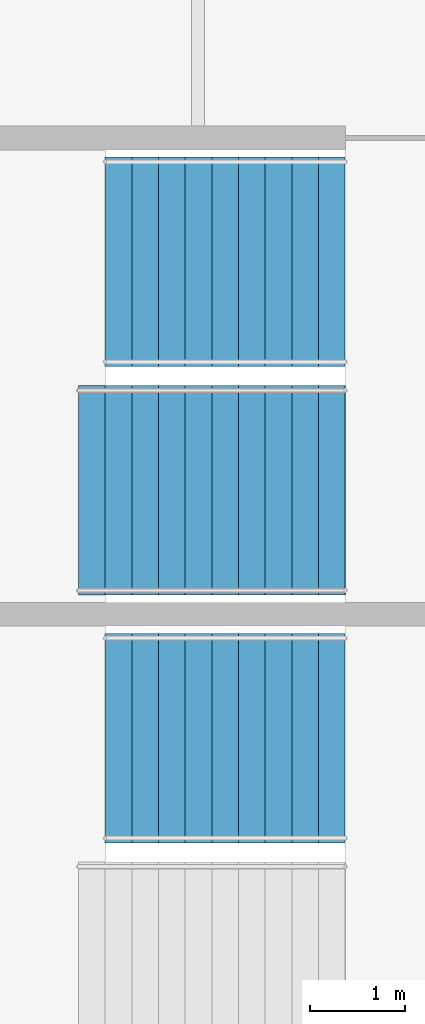
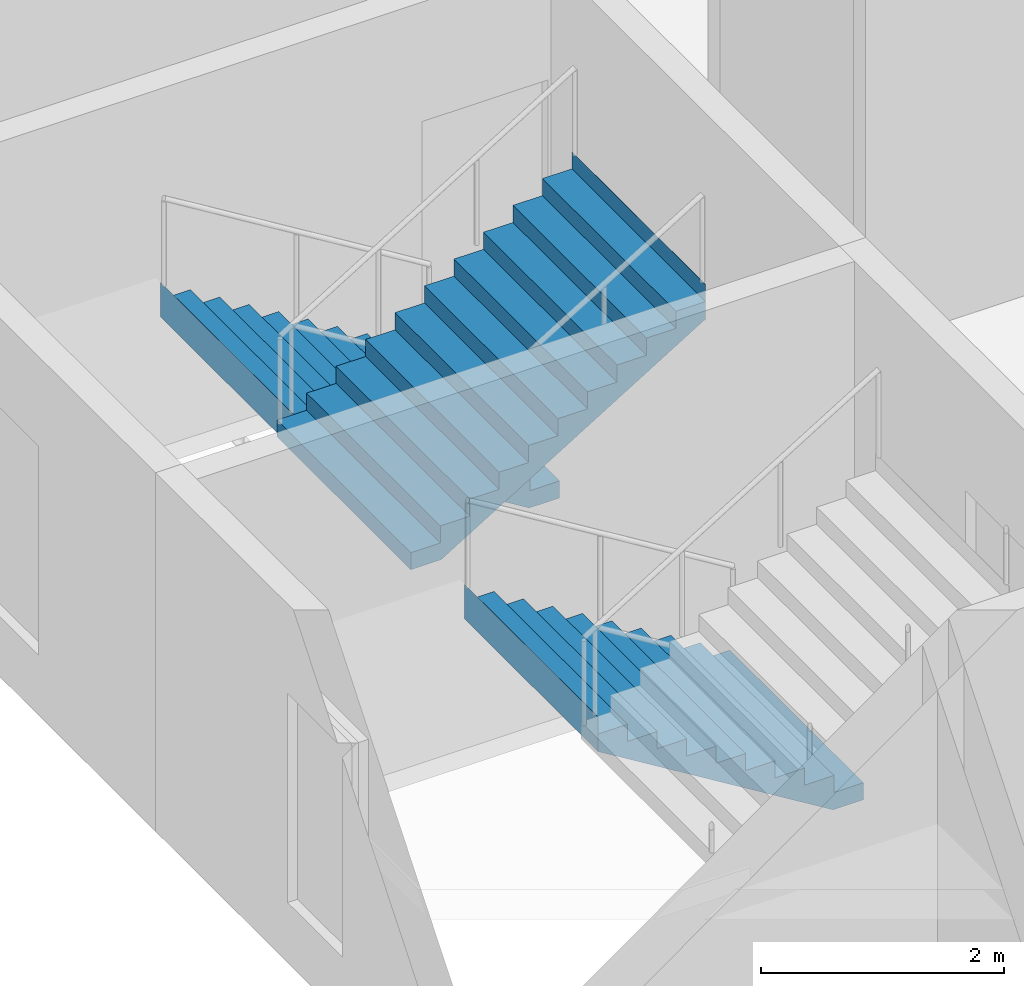
# One storey, part 82 of 124: 3 stair flights, 2 elements without a shape of their own.
"""IFC4 building model written with IfcOpenShell, lengths in metres."""

from ifc_helpers import new_model, si_unit, direction, frame, origin, place, context, subcontext, project, spatial, polyline, outline, extrude, material, type_object, element, aggregate, save


model = new_model("IFC4")

# Units and contexts
model_context = context("Model", 3, precision=1e-05, world=origin(), true_north=direction((0.0, 1.0)))
body_context = subcontext(model_context, "Body", "Model", "MODEL_VIEW")
ifc_project = project(units=[si_unit("LENGTHUNIT", "METRE"), si_unit("AREAUNIT", "SQUARE_METRE"), si_unit("VOLUMEUNIT", "CUBIC_METRE"), si_unit("PLANEANGLEUNIT", "RADIAN"), si_unit("MASSUNIT", "GRAM", prefix="KILO")], contexts=[model_context])

# Site, building, storey
site_placement = place(None, origin())
site = spatial("IfcSite", under=ifc_project, at=site_placement, CompositionType="ELEMENT")
building_placement = place(site_placement, origin())
building = spatial("IfcBuilding", under=site, at=building_placement, Name="Kupolbacken Congress Centre", CompositionType="ELEMENT")
storey_placement = place(building_placement, frame((0.0, 0.0, 10.800048828125)))
storey = spatial("IfcBuildingStorey", under=building, at=storey_placement, Name="L03", CompositionType="ELEMENT", Elevation=10.800048828125)

# Stair, stair flight
ifc_material_1 = material(Name="Concrete C30/37", Category="concrete")
stair_type = type_object("IfcStairType", Name="ST13 stair 2200", PredefinedType="TWO_STRAIGHT_RUN_STAIR", material=ifc_material_1)
stair_1_placement = place(storey_placement, origin())
stair_1 = element("IfcStair", 1, at=stair_1_placement, inside=storey, type_object=stair_type, Name="C/stair/PS1SW/L03", PredefinedType="NOTDEFINED")
ifc_material_2 = material(Name="Concrete C30/37", Category="concrete")
stair_flight_type_1 = type_object("IfcStairFlightType", Name="FL13 stair flight 2200 x 10 risers", PredefinedType="STRAIGHT", material=ifc_material_2)
stair_flight_1_placement = place(storey_placement, frame((12.344970703125, 54.10009765625, 0.0), z_axis=(0.0, 0.0, 1.0), x_axis=(-1.0, 0.0, 0.0)))
stair_flight_1 = element("IfcStairFlight", 2, at=stair_flight_1_placement, type_object=stair_flight_type_1, Name="PS1SW flight 1", NumberOfRisers=10, NumberOfTreads=9, PredefinedType="STRAIGHT", RiserHeight=0.171428571, TreadLength=0.28, context=body_context, shape_type="SweptSolid", body=[
    extrude(outline(polyline([(0.0, 0.0), (0.0, 0.0009765625), (0.0, 0.002197265625), (0.0, 0.003173828125), (0.0, 0.004150390625), (0.0, 0.00537109375), (0.0, 0.00634765625), (0.0, 0.007568359375), (0.0, 0.008544921875), (0.0, 0.009521484375), (0.0, 0.0107421875), (0.0, 0.01171875), (0.0, 0.0126953125), (0.0, 0.013916015625), (0.0, 0.014892578125), (0.0, 0.015869140625), (0.0, 0.01708984375), (0.0, 0.01806640625), (0.0, 0.019287109375), (0.0, 0.020263671875), (0.0, 0.021240234375), (0.0, 0.0224609375), (0.0, 0.0234375), (0.0, 0.0244140625), (0.0, 0.025634765625), (0.0, 0.026611328125), (0.0, 0.027587890625), (0.0, 0.02880859375), (0.0, 0.02978515625), (0.0, 0.03076171875), (0.0, 0.031982421875), (0.0, 0.032958984375), (0.0, 0.0341796875), (0.0, 0.03515625), (0.0, 0.0361328125), (0.0, 0.037353515625), (0.0, 0.038330078125), (0.0, 0.039306640625), (0.0, 0.04052734375), (0.0, 0.04150390625), (0.0, 0.04248046875), (0.0, 0.043701171875), (0.0, 0.044677734375), (0.0, 0.0458984375), (0.0, 0.046875), (0.0, 0.0478515625), (0.0, 0.049072265625), (0.0, 0.050048828125), (0.0, 0.051025390625), (0.0, 0.05224609375), (0.0, 0.05322265625), (0.0, 0.05419921875), (0.0, 0.055419921875), (0.0, 0.056396484375), (0.0, 0.0576171875), (0.0, 0.05859375), (0.0, 0.0595703125), (0.0, 0.060791015625), (0.0, 0.061767578125), (0.0, 0.062744140625), (0.0, 0.06396484375), (0.0, 0.06494140625), (0.0, 0.06591796875), (0.0, 0.067138671875), (0.0, 0.068115234375), (0.0, 0.069091796875), (0.0, 0.0703125), (0.0, 0.0712890625), (0.0, 0.072509765625), (0.0, 0.073486328125), (0.0, 0.074462890625), (0.0, 0.07568359375), (0.0, 0.07666015625), (0.0, 0.07763671875), (0.0, 0.078857421875), (0.0, 0.079833984375), (0.0, 0.080810546875), (0.0, 0.08203125), (0.0, 0.0830078125), (0.0, 0.084228515625), (0.0, 0.085205078125), (0.0, 0.086181640625), (0.0, 0.08740234375), (0.0, 0.08837890625), (0.0, 0.08935546875), (0.0, 0.090576171875), (0.0, 0.091552734375), (0.0, 0.092529296875), (0.0, 0.09375), (0.0, 0.0947265625), (0.0, 0.095947265625), (0.0, 0.096923828125), (0.0, 0.097900390625), (0.0, 0.09912109375), (0.0, 0.10009765625), (0.0, 0.10107421875), (0.0, 0.102294921875), (0.0, 0.103271484375), (0.0, 0.104248046875), (0.0, 0.10546875), (0.0, 0.1064453125), (0.0, 0.107421875), (0.0, 0.108642578125), (0.0, 0.109619140625), (0.0, 0.11083984375), (0.0, 0.11181640625), (0.0, 0.11279296875), (0.0, 0.114013671875), (0.0, 0.114990234375), (0.0, 0.115966796875), (0.0, 0.1171875), (0.0, 0.1181640625), (0.0, 0.119140625), (0.0, 0.120361328125), (0.0, 0.121337890625), (0.0, 0.12255859375), (0.0, 0.12353515625), (0.0, 0.12451171875), (0.0, 0.125732421875), (0.0, 0.126708984375), (0.0, 0.127685546875), (0.0, 0.12890625), (0.0, 0.1298828125), (0.0, 0.130859375), (0.0, 0.132080078125), (0.0, 0.133056640625), (0.0, 0.13427734375), (0.0, 0.13525390625), (0.0, 0.13623046875), (0.0, 0.137451171875), (0.0, 0.138427734375), (0.0, 0.139404296875), (0.0, 0.140625), (0.0, 0.1416015625), (0.0, 0.142578125), (0.0, 0.143798828125), (0.0, 0.144775390625), (0.0, 0.145751953125), (0.0, 0.14697265625), (0.0, 0.14794921875), (0.0, 0.149169921875), (0.0, 0.150146484375), (0.0, 0.151123046875), (0.0, 0.15234375), (0.0, 0.1533203125), (0.0, 0.154296875), (0.0, 0.155517578125), (0.0, 0.156494140625), (0.0, 0.157470703125), (0.0, 0.15869140625), (0.0, 0.15966796875), (0.0, 0.160888671875), (0.0, 0.161865234375), (0.0, 0.162841796875), (0.0, 0.1640625), (0.0, 0.1650390625), (0.0, 0.166015625), (0.0, 0.167236328125), (0.0, 0.168212890625), (0.0, 0.169189453125), (0.0, 0.17041015625), (0.0, 0.17138671875), (0.280029296875, 0.17138671875), (0.280029296875, 0.3427734375), (0.56005859375, 0.3427734375), (0.56005859375, 0.514404296875), (0.840087890625, 0.514404296875), (0.840087890625, 0.685791015625), (1.1201171875, 0.685791015625), (1.1201171875, 0.857177734375), (1.39990234375, 0.857177734375), (1.39990234375, 1.028564453125), (1.679931640625, 1.028564453125), (1.679931640625, 1.199951171875), (1.9599609375, 1.199951171875), (1.9599609375, 1.371337890625), (2.239990234375, 1.371337890625), (2.239990234375, 1.54296875), (2.52001953125, 1.54296875), (2.52001953125, 1.71435546875), (2.52197265625, 1.71435546875), (2.52197265625, 1.712158203125), (2.52197265625, 1.7099609375), (2.52197265625, 1.707763671875), (2.52197265625, 1.70556640625), (2.52197265625, 1.70361328125), (2.52197265625, 1.701416015625), (2.52197265625, 1.69921875), (2.52197265625, 1.697021484375), (2.52197265625, 1.69482421875), (2.52197265625, 1.692626953125), (2.52197265625, 1.690673828125), (2.52197265625, 1.6884765625), (2.52197265625, 1.686279296875), (2.52197265625, 1.68408203125), (2.52197265625, 1.681884765625), (2.52197265625, 1.6796875), (2.52197265625, 1.677734375), (2.52197265625, 1.675537109375), (2.52197265625, 1.67333984375), (2.52197265625, 1.671142578125), (2.52197265625, 1.6689453125), (2.52197265625, 1.666748046875), (2.52197265625, 1.664794921875), (2.52197265625, 1.66259765625), (2.52197265625, 1.660400390625), (2.52197265625, 1.658203125), (2.52197265625, 1.656005859375), (2.52197265625, 1.65380859375), (2.52197265625, 1.65185546875), (2.52197265625, 1.649658203125), (2.52197265625, 1.6474609375), (2.52197265625, 1.645263671875), (2.52197265625, 1.64306640625), (2.52197265625, 1.640869140625), (2.52197265625, 1.638916015625), (2.52197265625, 1.63671875), (2.52197265625, 1.634521484375), (2.52197265625, 1.63232421875), (2.52197265625, 1.630126953125), (2.52197265625, 1.6279296875), (2.52197265625, 1.6259765625), (2.52197265625, 1.623779296875), (2.52197265625, 1.62158203125), (2.52197265625, 1.619384765625), (2.52197265625, 1.6171875), (2.52197265625, 1.614990234375), (2.52197265625, 1.613037109375), (2.52197265625, 1.61083984375), (2.52197265625, 1.608642578125), (2.52197265625, 1.6064453125), (2.52197265625, 1.604248046875), (2.52197265625, 1.60205078125), (2.52197265625, 1.60009765625), (2.52197265625, 1.597900390625), (2.52197265625, 1.595703125), (2.52197265625, 1.593505859375), (2.52197265625, 1.59130859375), (2.52197265625, 1.589111328125), (2.52197265625, 1.587158203125), (2.52197265625, 1.5849609375), (2.52197265625, 1.582763671875), (2.52197265625, 1.58056640625), (2.52197265625, 1.578369140625), (2.52197265625, 1.576171875), (2.52197265625, 1.57421875), (2.52197265625, 1.572021484375), (2.52197265625, 1.56982421875), (2.52197265625, 1.567626953125), (2.52197265625, 1.5654296875), (2.52197265625, 1.563232421875), (2.52197265625, 1.561279296875), (2.52197265625, 1.55908203125), (2.52197265625, 1.556884765625), (2.52197265625, 1.5546875), (2.52197265625, 1.552490234375), (2.52197265625, 1.55029296875), (2.52197265625, 1.54833984375), (2.52197265625, 1.546142578125), (2.52197265625, 1.5439453125), (2.52197265625, 1.541748046875), (2.52197265625, 1.53955078125), (2.52197265625, 1.537353515625), (2.52197265625, 1.535400390625), (2.52197265625, 1.533203125), (2.52197265625, 1.531005859375), (2.52197265625, 1.52880859375), (2.52197265625, 1.526611328125), (2.52197265625, 1.5244140625), (2.52197265625, 1.5224609375), (2.52197265625, 1.520263671875), (2.52197265625, 1.51806640625), (2.52197265625, 1.515869140625), (2.52197265625, 1.513671875), (2.52197265625, 1.511474609375), (2.52197265625, 1.509521484375), (2.52197265625, 1.50732421875), (2.52197265625, 1.505126953125), (2.52197265625, 1.5029296875), (2.52197265625, 1.500732421875), (2.52197265625, 1.49853515625), (2.52197265625, 1.49658203125), (2.52197265625, 1.494384765625), (2.52197265625, 1.4921875), (2.52197265625, 1.489990234375), (2.52197265625, 1.48779296875), (2.52197265625, 1.485595703125), (2.52197265625, 1.483642578125), (2.52197265625, 1.4814453125), (2.52197265625, 1.479248046875), (2.52197265625, 1.47705078125), (2.52197265625, 1.474853515625), (2.52197265625, 1.47265625), (2.52197265625, 1.470703125), (2.52197265625, 1.468505859375), (2.52197265625, 1.46630859375), (2.52197265625, 1.464111328125), (2.52197265625, 1.4619140625), (2.52197265625, 1.459716796875), (2.52197265625, 1.457763671875), (2.52197265625, 1.45556640625), (2.52197265625, 1.453369140625), (2.52197265625, 1.451171875), (2.52197265625, 1.448974609375), (2.52197265625, 1.44677734375), (2.52197265625, 1.44482421875), (2.52197265625, 1.442626953125), (2.52197265625, 1.4404296875), (2.52197265625, 1.438232421875), (2.52197265625, 1.43603515625), (2.52197265625, 1.433837890625), (2.52197265625, 1.431884765625), (2.52197265625, 1.4296875), (2.52197265625, 1.427490234375), (2.52197265625, 1.42529296875), (2.52197265625, 1.423095703125), (2.52197265625, 1.4208984375), (2.52197265625, 1.4189453125), (2.52197265625, 1.416748046875), (2.52197265625, 1.41455078125), (2.52197265625, 1.412353515625), (2.52197265625, 1.41015625), (2.52197265625, 1.407958984375), (2.52197265625, 1.406005859375), (2.52197265625, 1.40380859375), (2.52197265625, 1.401611328125), (2.52197265625, 1.3994140625), (2.52197265625, 1.397216796875), (2.52197265625, 1.39501953125), (2.52197265625, 1.39306640625), (2.52197265625, 1.390869140625), (2.52197265625, 1.388671875), (2.52197265625, 1.386474609375), (2.52197265625, 1.38427734375), (2.52197265625, 1.382080078125), (2.52197265625, 1.380126953125), (2.52197265625, 1.3779296875), (2.52197265625, 1.375732421875), (2.52197265625, 1.37353515625), (2.52197265625, 1.371337890625), (2.52197265625, 1.369140625), (2.52197265625, 1.3671875), (0.2890625, 0.0), (0.0, 0.0)])), frame((0.0, 1.10009765625, 0.0), z_axis=(0.0, -1.0, 0.0), x_axis=(1.0, 0.0, 0.0)), (0.0, 0.0, 1.0), 2.199951171875),
])
aggregate(stair_1, [stair_flight_1])

# Stair, stair flights
stair_2_placement = place(storey_placement, origin())
stair_2 = element("IfcStair", 3, at=stair_2_placement, inside=storey, type_object=stair_type, Name="C/stair/PS2SW/L03", PredefinedType="NOTDEFINED")
stair_flight_2_placement = place(storey_placement, frame((12.344970703125, 59.10009765625, 0.0), z_axis=(0.0, 0.0, 1.0), x_axis=(-1.0, 0.0, 0.0)))
stair_flight_2 = element("IfcStairFlight", 4, at=stair_flight_2_placement, type_object=stair_flight_type_1, Name="PS2SW flight 1", NumberOfRisers=10, NumberOfTreads=9, PredefinedType="STRAIGHT", RiserHeight=0.171428571, TreadLength=0.28, context=body_context, shape_type="SweptSolid", body=[
    extrude(outline(polyline([(0.0, 0.0), (0.0, 0.0009765625), (0.0, 0.002197265625), (0.0, 0.003173828125), (0.0, 0.004150390625), (0.0, 0.00537109375), (0.0, 0.00634765625), (0.0, 0.007568359375), (0.0, 0.008544921875), (0.0, 0.009521484375), (0.0, 0.0107421875), (0.0, 0.01171875), (0.0, 0.0126953125), (0.0, 0.013916015625), (0.0, 0.014892578125), (0.0, 0.015869140625), (0.0, 0.01708984375), (0.0, 0.01806640625), (0.0, 0.019287109375), (0.0, 0.020263671875), (0.0, 0.021240234375), (0.0, 0.0224609375), (0.0, 0.0234375), (0.0, 0.0244140625), (0.0, 0.025634765625), (0.0, 0.026611328125), (0.0, 0.027587890625), (0.0, 0.02880859375), (0.0, 0.02978515625), (0.0, 0.03076171875), (0.0, 0.031982421875), (0.0, 0.032958984375), (0.0, 0.0341796875), (0.0, 0.03515625), (0.0, 0.0361328125), (0.0, 0.037353515625), (0.0, 0.038330078125), (0.0, 0.039306640625), (0.0, 0.04052734375), (0.0, 0.04150390625), (0.0, 0.04248046875), (0.0, 0.043701171875), (0.0, 0.044677734375), (0.0, 0.0458984375), (0.0, 0.046875), (0.0, 0.0478515625), (0.0, 0.049072265625), (0.0, 0.050048828125), (0.0, 0.051025390625), (0.0, 0.05224609375), (0.0, 0.05322265625), (0.0, 0.05419921875), (0.0, 0.055419921875), (0.0, 0.056396484375), (0.0, 0.0576171875), (0.0, 0.05859375), (0.0, 0.0595703125), (0.0, 0.060791015625), (0.0, 0.061767578125), (0.0, 0.062744140625), (0.0, 0.06396484375), (0.0, 0.06494140625), (0.0, 0.06591796875), (0.0, 0.067138671875), (0.0, 0.068115234375), (0.0, 0.069091796875), (0.0, 0.0703125), (0.0, 0.0712890625), (0.0, 0.072509765625), (0.0, 0.073486328125), (0.0, 0.074462890625), (0.0, 0.07568359375), (0.0, 0.07666015625), (0.0, 0.07763671875), (0.0, 0.078857421875), (0.0, 0.079833984375), (0.0, 0.080810546875), (0.0, 0.08203125), (0.0, 0.0830078125), (0.0, 0.084228515625), (0.0, 0.085205078125), (0.0, 0.086181640625), (0.0, 0.08740234375), (0.0, 0.08837890625), (0.0, 0.08935546875), (0.0, 0.090576171875), (0.0, 0.091552734375), (0.0, 0.092529296875), (0.0, 0.09375), (0.0, 0.0947265625), (0.0, 0.095947265625), (0.0, 0.096923828125), (0.0, 0.097900390625), (0.0, 0.09912109375), (0.0, 0.10009765625), (0.0, 0.10107421875), (0.0, 0.102294921875), (0.0, 0.103271484375), (0.0, 0.104248046875), (0.0, 0.10546875), (0.0, 0.1064453125), (0.0, 0.107421875), (0.0, 0.108642578125), (0.0, 0.109619140625), (0.0, 0.11083984375), (0.0, 0.11181640625), (0.0, 0.11279296875), (0.0, 0.114013671875), (0.0, 0.114990234375), (0.0, 0.115966796875), (0.0, 0.1171875), (0.0, 0.1181640625), (0.0, 0.119140625), (0.0, 0.120361328125), (0.0, 0.121337890625), (0.0, 0.12255859375), (0.0, 0.12353515625), (0.0, 0.12451171875), (0.0, 0.125732421875), (0.0, 0.126708984375), (0.0, 0.127685546875), (0.0, 0.12890625), (0.0, 0.1298828125), (0.0, 0.130859375), (0.0, 0.132080078125), (0.0, 0.133056640625), (0.0, 0.13427734375), (0.0, 0.13525390625), (0.0, 0.13623046875), (0.0, 0.137451171875), (0.0, 0.138427734375), (0.0, 0.139404296875), (0.0, 0.140625), (0.0, 0.1416015625), (0.0, 0.142578125), (0.0, 0.143798828125), (0.0, 0.144775390625), (0.0, 0.145751953125), (0.0, 0.14697265625), (0.0, 0.14794921875), (0.0, 0.149169921875), (0.0, 0.150146484375), (0.0, 0.151123046875), (0.0, 0.15234375), (0.0, 0.1533203125), (0.0, 0.154296875), (0.0, 0.155517578125), (0.0, 0.156494140625), (0.0, 0.157470703125), (0.0, 0.15869140625), (0.0, 0.15966796875), (0.0, 0.160888671875), (0.0, 0.161865234375), (0.0, 0.162841796875), (0.0, 0.1640625), (0.0, 0.1650390625), (0.0, 0.166015625), (0.0, 0.167236328125), (0.0, 0.168212890625), (0.0, 0.169189453125), (0.0, 0.17041015625), (0.0, 0.17138671875), (0.280029296875, 0.17138671875), (0.280029296875, 0.3427734375), (0.56005859375, 0.3427734375), (0.56005859375, 0.514404296875), (0.840087890625, 0.514404296875), (0.840087890625, 0.685791015625), (1.1201171875, 0.685791015625), (1.1201171875, 0.857177734375), (1.39990234375, 0.857177734375), (1.39990234375, 1.028564453125), (1.679931640625, 1.028564453125), (1.679931640625, 1.199951171875), (1.9599609375, 1.199951171875), (1.9599609375, 1.371337890625), (2.239990234375, 1.371337890625), (2.239990234375, 1.54296875), (2.52001953125, 1.54296875), (2.52001953125, 1.71435546875), (2.52197265625, 1.71435546875), (2.52197265625, 1.712158203125), (2.52197265625, 1.7099609375), (2.52197265625, 1.707763671875), (2.52197265625, 1.70556640625), (2.52197265625, 1.70361328125), (2.52197265625, 1.701416015625), (2.52197265625, 1.69921875), (2.52197265625, 1.697021484375), (2.52197265625, 1.69482421875), (2.52197265625, 1.692626953125), (2.52197265625, 1.690673828125), (2.52197265625, 1.6884765625), (2.52197265625, 1.686279296875), (2.52197265625, 1.68408203125), (2.52197265625, 1.681884765625), (2.52197265625, 1.6796875), (2.52197265625, 1.677734375), (2.52197265625, 1.675537109375), (2.52197265625, 1.67333984375), (2.52197265625, 1.671142578125), (2.52197265625, 1.6689453125), (2.52197265625, 1.666748046875), (2.52197265625, 1.664794921875), (2.52197265625, 1.66259765625), (2.52197265625, 1.660400390625), (2.52197265625, 1.658203125), (2.52197265625, 1.656005859375), (2.52197265625, 1.65380859375), (2.52197265625, 1.65185546875), (2.52197265625, 1.649658203125), (2.52197265625, 1.6474609375), (2.52197265625, 1.645263671875), (2.52197265625, 1.64306640625), (2.52197265625, 1.640869140625), (2.52197265625, 1.638916015625), (2.52197265625, 1.63671875), (2.52197265625, 1.634521484375), (2.52197265625, 1.63232421875), (2.52197265625, 1.630126953125), (2.52197265625, 1.6279296875), (2.52197265625, 1.6259765625), (2.52197265625, 1.623779296875), (2.52197265625, 1.62158203125), (2.52197265625, 1.619384765625), (2.52197265625, 1.6171875), (2.52197265625, 1.614990234375), (2.52197265625, 1.613037109375), (2.52197265625, 1.61083984375), (2.52197265625, 1.608642578125), (2.52197265625, 1.6064453125), (2.52197265625, 1.604248046875), (2.52197265625, 1.60205078125), (2.52197265625, 1.60009765625), (2.52197265625, 1.597900390625), (2.52197265625, 1.595703125), (2.52197265625, 1.593505859375), (2.52197265625, 1.59130859375), (2.52197265625, 1.589111328125), (2.52197265625, 1.587158203125), (2.52197265625, 1.5849609375), (2.52197265625, 1.582763671875), (2.52197265625, 1.58056640625), (2.52197265625, 1.578369140625), (2.52197265625, 1.576171875), (2.52197265625, 1.57421875), (2.52197265625, 1.572021484375), (2.52197265625, 1.56982421875), (2.52197265625, 1.567626953125), (2.52197265625, 1.5654296875), (2.52197265625, 1.563232421875), (2.52197265625, 1.561279296875), (2.52197265625, 1.55908203125), (2.52197265625, 1.556884765625), (2.52197265625, 1.5546875), (2.52197265625, 1.552490234375), (2.52197265625, 1.55029296875), (2.52197265625, 1.54833984375), (2.52197265625, 1.546142578125), (2.52197265625, 1.5439453125), (2.52197265625, 1.541748046875), (2.52197265625, 1.53955078125), (2.52197265625, 1.537353515625), (2.52197265625, 1.535400390625), (2.52197265625, 1.533203125), (2.52197265625, 1.531005859375), (2.52197265625, 1.52880859375), (2.52197265625, 1.526611328125), (2.52197265625, 1.5244140625), (2.52197265625, 1.5224609375), (2.52197265625, 1.520263671875), (2.52197265625, 1.51806640625), (2.52197265625, 1.515869140625), (2.52197265625, 1.513671875), (2.52197265625, 1.511474609375), (2.52197265625, 1.509521484375), (2.52197265625, 1.50732421875), (2.52197265625, 1.505126953125), (2.52197265625, 1.5029296875), (2.52197265625, 1.500732421875), (2.52197265625, 1.49853515625), (2.52197265625, 1.49658203125), (2.52197265625, 1.494384765625), (2.52197265625, 1.4921875), (2.52197265625, 1.489990234375), (2.52197265625, 1.48779296875), (2.52197265625, 1.485595703125), (2.52197265625, 1.483642578125), (2.52197265625, 1.4814453125), (2.52197265625, 1.479248046875), (2.52197265625, 1.47705078125), (2.52197265625, 1.474853515625), (2.52197265625, 1.47265625), (2.52197265625, 1.470703125), (2.52197265625, 1.468505859375), (2.52197265625, 1.46630859375), (2.52197265625, 1.464111328125), (2.52197265625, 1.4619140625), (2.52197265625, 1.459716796875), (2.52197265625, 1.457763671875), (2.52197265625, 1.45556640625), (2.52197265625, 1.453369140625), (2.52197265625, 1.451171875), (2.52197265625, 1.448974609375), (2.52197265625, 1.44677734375), (2.52197265625, 1.44482421875), (2.52197265625, 1.442626953125), (2.52197265625, 1.4404296875), (2.52197265625, 1.438232421875), (2.52197265625, 1.43603515625), (2.52197265625, 1.433837890625), (2.52197265625, 1.431884765625), (2.52197265625, 1.4296875), (2.52197265625, 1.427490234375), (2.52197265625, 1.42529296875), (2.52197265625, 1.423095703125), (2.52197265625, 1.4208984375), (2.52197265625, 1.4189453125), (2.52197265625, 1.416748046875), (2.52197265625, 1.41455078125), (2.52197265625, 1.412353515625), (2.52197265625, 1.41015625), (2.52197265625, 1.407958984375), (2.52197265625, 1.406005859375), (2.52197265625, 1.40380859375), (2.52197265625, 1.401611328125), (2.52197265625, 1.3994140625), (2.52197265625, 1.397216796875), (2.52197265625, 1.39501953125), (2.52197265625, 1.39306640625), (2.52197265625, 1.390869140625), (2.52197265625, 1.388671875), (2.52197265625, 1.386474609375), (2.52197265625, 1.38427734375), (2.52197265625, 1.382080078125), (2.52197265625, 1.380126953125), (2.52197265625, 1.3779296875), (2.52197265625, 1.375732421875), (2.52197265625, 1.37353515625), (2.52197265625, 1.371337890625), (2.52197265625, 1.369140625), (2.52197265625, 1.3671875), (0.2890625, 0.0), (0.0, 0.0)])), frame((0.0, 1.10009765625, 0.0), z_axis=(0.0, -1.0, 0.0), x_axis=(1.0, 0.0, 0.0)), (0.0, 0.0, 1.0), 2.199951171875),
])
ifc_material_3 = material(Name="Concrete C30/37", Category="concrete")
stair_flight_type_2 = type_object("IfcStairFlightType", Name="FL14 stair flight 2200 x 11 risers", PredefinedType="STRAIGHT", material=ifc_material_3)
stair_flight_3_placement = place(storey_placement, frame((9.544921875, 56.699951171875, 1.71435546875), z_axis=(0.0, 0.0, 1.0), x_axis=(1.0, 0.0, 0.0)))
stair_flight_3 = element("IfcStairFlight", 5, at=stair_flight_3_placement, type_object=stair_flight_type_2, Name="PS2SW flight 2", NumberOfRisers=11, NumberOfTreads=10, PredefinedType="STRAIGHT", RiserHeight=0.171428571, TreadLength=0.28, context=body_context, shape_type="SweptSolid", body=[
    extrude(outline(polyline([(0.0, 0.0), (0.0, 0.0009765625), (0.0, 0.002197265625), (0.0, 0.003173828125), (0.0, 0.004150390625), (0.0, 0.00537109375), (0.0, 0.00634765625), (0.0, 0.007568359375), (0.0, 0.008544921875), (0.0, 0.009521484375), (0.0, 0.0107421875), (0.0, 0.01171875), (0.0, 0.0126953125), (0.0, 0.013916015625), (0.0, 0.014892578125), (0.0, 0.015869140625), (0.0, 0.01708984375), (0.0, 0.01806640625), (0.0, 0.019287109375), (0.0, 0.020263671875), (0.0, 0.021240234375), (0.0, 0.0224609375), (0.0, 0.0234375), (0.0, 0.0244140625), (0.0, 0.025634765625), (0.0, 0.026611328125), (0.0, 0.027587890625), (0.0, 0.02880859375), (0.0, 0.02978515625), (0.0, 0.03076171875), (0.0, 0.031982421875), (0.0, 0.032958984375), (0.0, 0.0341796875), (0.0, 0.03515625), (0.0, 0.0361328125), (0.0, 0.037353515625), (0.0, 0.038330078125), (0.0, 0.039306640625), (0.0, 0.04052734375), (0.0, 0.04150390625), (0.0, 0.04248046875), (0.0, 0.043701171875), (0.0, 0.044677734375), (0.0, 0.0458984375), (0.0, 0.046875), (0.0, 0.0478515625), (0.0, 0.049072265625), (0.0, 0.050048828125), (0.0, 0.051025390625), (0.0, 0.05224609375), (0.0, 0.05322265625), (0.0, 0.05419921875), (0.0, 0.055419921875), (0.0, 0.056396484375), (0.0, 0.0576171875), (0.0, 0.05859375), (0.0, 0.0595703125), (0.0, 0.060791015625), (0.0, 0.061767578125), (0.0, 0.062744140625), (0.0, 0.06396484375), (0.0, 0.06494140625), (0.0, 0.06591796875), (0.0, 0.067138671875), (0.0, 0.068115234375), (0.0, 0.069091796875), (0.0, 0.0703125), (0.0, 0.0712890625), (0.0, 0.072509765625), (0.0, 0.073486328125), (0.0, 0.074462890625), (0.0, 0.07568359375), (0.0, 0.07666015625), (0.0, 0.07763671875), (0.0, 0.078857421875), (0.0, 0.079833984375), (0.0, 0.080810546875), (0.0, 0.08203125), (0.0, 0.0830078125), (0.0, 0.084228515625), (0.0, 0.085205078125), (0.0, 0.086181640625), (0.0, 0.08740234375), (0.0, 0.08837890625), (0.0, 0.08935546875), (0.0, 0.090576171875), (0.0, 0.091552734375), (0.0, 0.092529296875), (0.0, 0.09375), (0.0, 0.0947265625), (0.0, 0.095947265625), (0.0, 0.096923828125), (0.0, 0.097900390625), (0.0, 0.09912109375), (0.0, 0.10009765625), (0.0, 0.10107421875), (0.0, 0.102294921875), (0.0, 0.103271484375), (0.0, 0.104248046875), (0.0, 0.10546875), (0.0, 0.1064453125), (0.0, 0.107421875), (0.0, 0.108642578125), (0.0, 0.109619140625), (0.0, 0.11083984375), (0.0, 0.11181640625), (0.0, 0.11279296875), (0.0, 0.114013671875), (0.0, 0.114990234375), (0.0, 0.115966796875), (0.0, 0.1171875), (0.0, 0.1181640625), (0.0, 0.119140625), (0.0, 0.120361328125), (0.0, 0.121337890625), (0.0, 0.12255859375), (0.0, 0.12353515625), (0.0, 0.12451171875), (0.0, 0.125732421875), (0.0, 0.126708984375), (0.0, 0.127685546875), (0.0, 0.12890625), (0.0, 0.1298828125), (0.0, 0.130859375), (0.0, 0.132080078125), (0.0, 0.133056640625), (0.0, 0.13427734375), (0.0, 0.13525390625), (0.0, 0.13623046875), (0.0, 0.137451171875), (0.0, 0.138427734375), (0.0, 0.139404296875), (0.0, 0.140625), (0.0, 0.1416015625), (0.0, 0.142578125), (0.0, 0.143798828125), (0.0, 0.144775390625), (0.0, 0.145751953125), (0.0, 0.14697265625), (0.0, 0.14794921875), (0.0, 0.149169921875), (0.0, 0.150146484375), (0.0, 0.151123046875), (0.0, 0.15234375), (0.0, 0.1533203125), (0.0, 0.154296875), (0.0, 0.155517578125), (0.0, 0.156494140625), (0.0, 0.157470703125), (0.0, 0.15869140625), (0.0, 0.15966796875), (0.0, 0.160888671875), (0.0, 0.161865234375), (0.0, 0.162841796875), (0.0, 0.1640625), (0.0, 0.1650390625), (0.0, 0.166015625), (0.0, 0.167236328125), (0.0, 0.168212890625), (0.0, 0.169189453125), (0.0, 0.17041015625), (0.0, 0.17138671875), (0.280029296875, 0.17138671875), (0.280029296875, 0.3427734375), (0.56005859375, 0.3427734375), (0.56005859375, 0.514404296875), (0.840087890625, 0.514404296875), (0.840087890625, 0.685791015625), (1.1201171875, 0.685791015625), (1.1201171875, 0.857177734375), (1.39990234375, 0.857177734375), (1.39990234375, 1.028564453125), (1.679931640625, 1.028564453125), (1.679931640625, 1.199951171875), (1.9599609375, 1.199951171875), (1.9599609375, 1.371337890625), (2.239990234375, 1.371337890625), (2.239990234375, 1.54296875), (2.52001953125, 1.54296875), (2.52001953125, 1.71435546875), (2.800048828125, 1.71435546875), (2.800048828125, 1.8857421875), (2.802001953125, 1.8857421875), (2.802001953125, 1.883544921875), (2.802001953125, 1.88134765625), (2.802001953125, 1.879150390625), (2.802001953125, 1.877197265625), (2.802001953125, 1.875), (2.802001953125, 1.872802734375), (2.802001953125, 1.87060546875), (2.802001953125, 1.868408203125), (2.802001953125, 1.8662109375), (2.802001953125, 1.8642578125), (2.802001953125, 1.862060546875), (2.802001953125, 1.85986328125), (2.802001953125, 1.857666015625), (2.802001953125, 1.85546875), (2.802001953125, 1.853271484375), (2.802001953125, 1.851318359375), (2.802001953125, 1.84912109375), (2.802001953125, 1.846923828125), (2.802001953125, 1.8447265625), (2.802001953125, 1.842529296875), (2.802001953125, 1.84033203125), (2.802001953125, 1.83837890625), (2.802001953125, 1.836181640625), (2.802001953125, 1.833984375), (2.802001953125, 1.831787109375), (2.802001953125, 1.82958984375), (2.802001953125, 1.827392578125), (2.802001953125, 1.825439453125), (2.802001953125, 1.8232421875), (2.802001953125, 1.821044921875), (2.802001953125, 1.81884765625), (2.802001953125, 1.816650390625), (2.802001953125, 1.814453125), (2.802001953125, 1.8125), (2.802001953125, 1.810302734375), (2.802001953125, 1.80810546875), (2.802001953125, 1.805908203125), (2.802001953125, 1.8037109375), (2.802001953125, 1.801513671875), (2.802001953125, 1.799560546875), (2.802001953125, 1.79736328125), (2.802001953125, 1.795166015625), (2.802001953125, 1.79296875), (2.802001953125, 1.790771484375), (2.802001953125, 1.78857421875), (2.802001953125, 1.78662109375), (2.802001953125, 1.784423828125), (2.802001953125, 1.7822265625), (2.802001953125, 1.780029296875), (2.802001953125, 1.77783203125), (2.802001953125, 1.775634765625), (2.802001953125, 1.773681640625), (2.802001953125, 1.771484375), (2.802001953125, 1.769287109375), (2.802001953125, 1.76708984375), (2.802001953125, 1.764892578125), (2.802001953125, 1.7626953125), (2.802001953125, 1.7607421875), (2.802001953125, 1.758544921875), (2.802001953125, 1.75634765625), (2.802001953125, 1.754150390625), (2.802001953125, 1.751953125), (2.802001953125, 1.749755859375), (2.802001953125, 1.747802734375), (2.802001953125, 1.74560546875), (2.802001953125, 1.743408203125), (2.802001953125, 1.7412109375), (2.802001953125, 1.739013671875), (2.802001953125, 1.73681640625), (2.802001953125, 1.73486328125), (2.802001953125, 1.732666015625), (2.802001953125, 1.73046875), (2.802001953125, 1.728271484375), (2.802001953125, 1.72607421875), (2.802001953125, 1.723876953125), (2.802001953125, 1.721923828125), (2.802001953125, 1.7197265625), (2.802001953125, 1.717529296875), (2.802001953125, 1.71533203125), (2.802001953125, 1.713134765625), (2.802001953125, 1.7109375), (2.802001953125, 1.708984375), (2.802001953125, 1.706787109375), (2.802001953125, 1.70458984375), (2.802001953125, 1.702392578125), (2.802001953125, 1.7001953125), (2.802001953125, 1.697998046875), (2.802001953125, 1.696044921875), (2.802001953125, 1.69384765625), (2.802001953125, 1.691650390625), (2.802001953125, 1.689453125), (2.802001953125, 1.687255859375), (2.802001953125, 1.68505859375), (2.802001953125, 1.68310546875), (2.802001953125, 1.680908203125), (2.802001953125, 1.6787109375), (2.802001953125, 1.676513671875), (2.802001953125, 1.67431640625), (2.802001953125, 1.672119140625), (2.802001953125, 1.670166015625), (2.802001953125, 1.66796875), (2.802001953125, 1.665771484375), (2.802001953125, 1.66357421875), (2.802001953125, 1.661376953125), (2.802001953125, 1.6591796875), (2.802001953125, 1.6572265625), (2.802001953125, 1.655029296875), (2.802001953125, 1.65283203125), (2.802001953125, 1.650634765625), (2.802001953125, 1.6484375), (2.802001953125, 1.646240234375), (2.802001953125, 1.644287109375), (2.802001953125, 1.64208984375), (2.802001953125, 1.639892578125), (2.802001953125, 1.6376953125), (2.802001953125, 1.635498046875), (2.802001953125, 1.63330078125), (2.802001953125, 1.63134765625), (2.802001953125, 1.629150390625), (2.802001953125, 1.626953125), (2.802001953125, 1.624755859375), (2.802001953125, 1.62255859375), (2.802001953125, 1.620361328125), (2.802001953125, 1.618408203125), (2.802001953125, 1.6162109375), (2.802001953125, 1.614013671875), (2.802001953125, 1.61181640625), (2.802001953125, 1.609619140625), (2.802001953125, 1.607421875), (2.802001953125, 1.60546875), (2.802001953125, 1.603271484375), (2.802001953125, 1.60107421875), (2.802001953125, 1.598876953125), (2.802001953125, 1.5966796875), (2.802001953125, 1.594482421875), (2.802001953125, 1.592529296875), (2.802001953125, 1.59033203125), (2.802001953125, 1.588134765625), (2.802001953125, 1.5859375), (2.802001953125, 1.583740234375), (2.802001953125, 1.58154296875), (2.802001953125, 1.57958984375), (2.802001953125, 1.577392578125), (2.802001953125, 1.5751953125), (2.802001953125, 1.572998046875), (2.802001953125, 1.57080078125), (2.802001953125, 1.568603515625), (2.802001953125, 1.566650390625), (2.802001953125, 1.564453125), (2.802001953125, 1.562255859375), (2.802001953125, 1.56005859375), (2.802001953125, 1.557861328125), (2.802001953125, 1.5556640625), (2.802001953125, 1.5537109375), (2.802001953125, 1.551513671875), (2.802001953125, 1.54931640625), (2.802001953125, 1.547119140625), (2.802001953125, 1.544921875), (2.802001953125, 1.542724609375), (2.802001953125, 1.540771484375), (2.802001953125, 1.53857421875), (0.2890625, 0.0), (0.0, 0.0)])), frame((0.0, 1.10009765625, 0.0), z_axis=(0.0, -1.0, 0.0), x_axis=(1.0, 0.0, 0.0)), (0.0, 0.0, 1.0), 2.199951171875),
])
aggregate(stair_2, [stair_flight_2, stair_flight_3])

save(model, "model.ifc")
